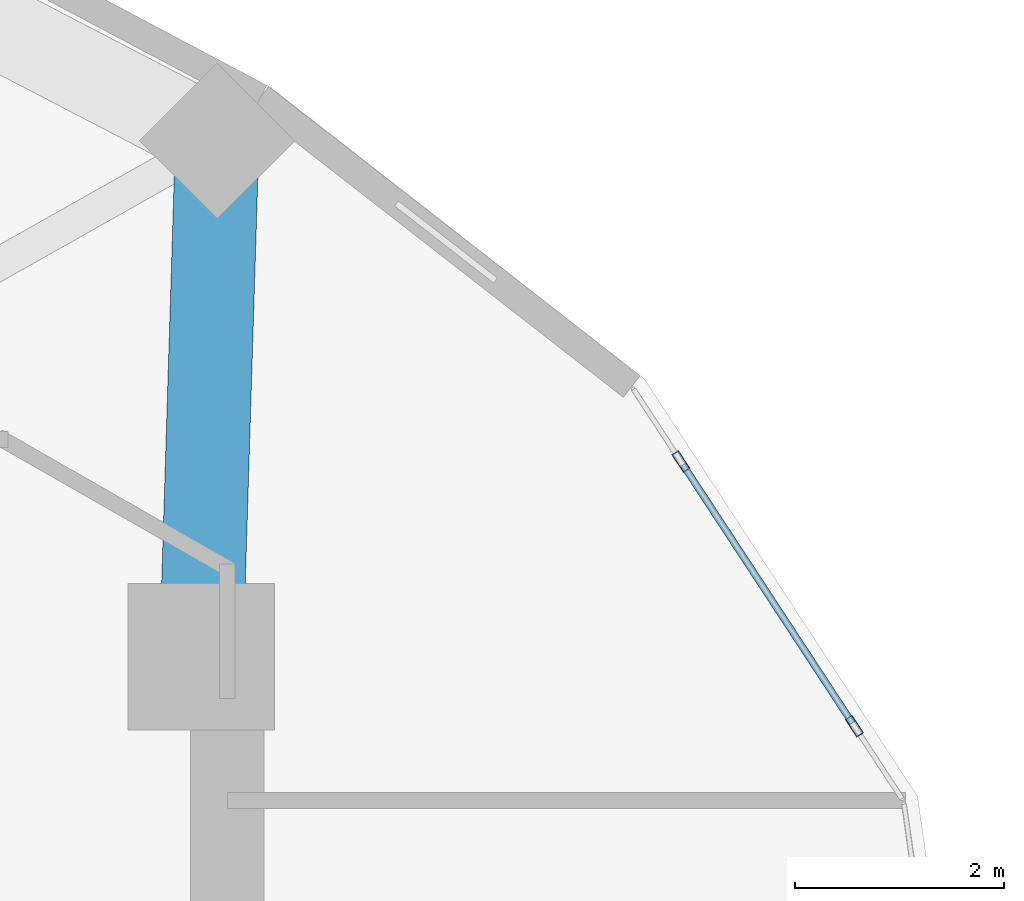
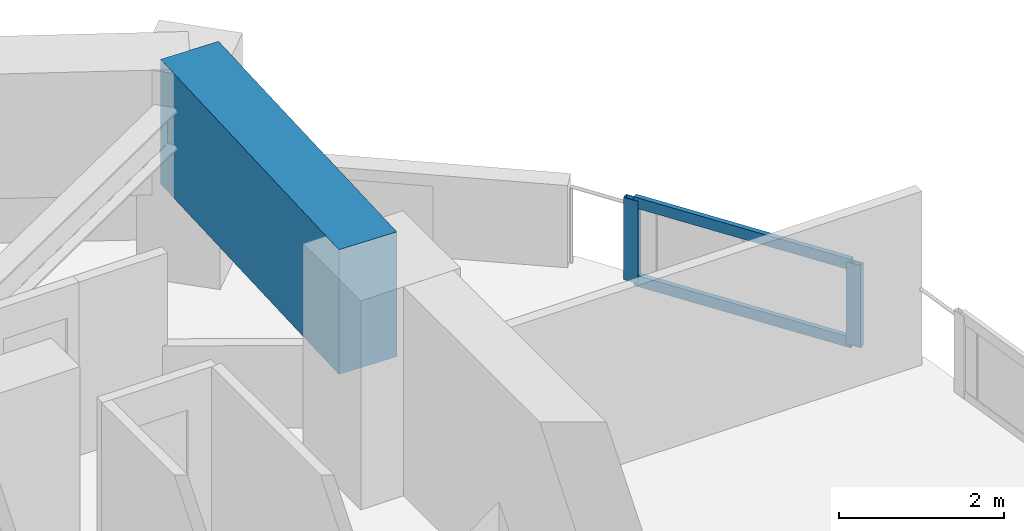
# One storey, part 5 of 14: 4 members, 1 beam, 1 element without a shape of its own.
"""IFC4 building model written with IfcOpenShell, lengths in metres."""

from ifc_helpers import new_model, si_unit, direction, frame, origin, origin_2d, place, context, subcontext, project, spatial, rectangle, hollow_rectangle, extrude, material, layer, layer_set, material_profile, profile_set, type_object, element, aggregate, save


model = new_model("IFC4")

# Units and contexts
model_context = context("Model", 3, precision=1e-05, world=origin(), true_north=direction((0.0, 1.0)))
body_context = subcontext(model_context, "Body", "Model", "MODEL_VIEW")
ifc_project = project(units=[si_unit("LENGTHUNIT", "METRE"), si_unit("AREAUNIT", "SQUARE_METRE"), si_unit("VOLUMEUNIT", "CUBIC_METRE"), si_unit("PLANEANGLEUNIT", "RADIAN"), si_unit("MASSUNIT", "GRAM", prefix="KILO")], contexts=[model_context])

# Site, building, storey
site_placement = place(None, origin())
site = spatial("IfcSite", under=ifc_project, at=site_placement, CompositionType="ELEMENT")
building_placement = place(site_placement, origin())
building = spatial("IfcBuilding", under=site, at=building_placement, Name="Solvane Sanctuary Tower", CompositionType="ELEMENT")
storey_placement = place(building_placement, frame((0.0, 0.0, 91.800048828125)))
storey = spatial("IfcBuildingStorey", under=building, at=storey_placement, Name="L27", CompositionType="ELEMENT", Elevation=91.800048828125)

# Beam
ifc_material_1 = material(Name="Concrete C70/85", Category="concrete")
ifc_material_profile_1 = material_profile(ifc_material_1, rectangle(XDim=0.800048828125, YDim=1.85009765625, at=origin_2d()), Name="RC800X1850")
ifc_profile_set_1 = profile_set([ifc_material_profile_1], Name="Concrete C70/85")
beam_type = type_object("IfcBeamType", Name="Beam B-XFER-BLK RC800X1850", PredefinedType="BEAM", material=ifc_profile_set_1)
beam_placement = place(storey_placement, frame((48.85302734375, 35.13818359375, 2.175048828125), z_axis=(-0.030966851139, -0.999520412063, 0.0), x_axis=(0.999520412063, -0.030966851139, 0.0)))
element("IfcBeam", 1, at=beam_placement, inside=storey, type_object=beam_type, Name="L27 Perimeter Step Transfer Ring NTC01-CE3", PredefinedType="BEAM", context=body_context, shape_type="SweptSolid", body=[
    extrude(rectangle(XDim=0.800048828125, YDim=1.85009765625, at=origin_2d()), origin(), (0.0, 0.0, 1.0), 4.58056640625),
])

# Curtain wall, members
ifc_material_2 = material(Name="Anodised Aluminium 6063-T6", Category="aluminium")
ifc_layer = layer(ifc_material_2, 0.2099609375, Name="Anodised Aluminium 6063-T6")
ifc_layer_set = layer_set([ifc_layer], Name="Anodised Aluminium 6063-T6")
curtain_wall_type = type_object("IfcCurtainWallType", Name="Curtain Wall CW-PORTAL", PredefinedType="NOTDEFINED", material=ifc_layer_set)
curtain_wall_placement = place(storey_placement, origin())
curtain_wall = element("IfcCurtainWall", 2, at=curtain_wall_placement, inside=storey, type_object=curtain_wall_type, Name="L27 CW-PORTAL Facade Run 01", PredefinedType="NOTDEFINED")
ifc_material_profile_2 = material_profile(ifc_material_2, hollow_rectangle(XDim=0.074951171875, YDim=0.199951171875, WallThickness=0.00390625, at=origin_2d()), Name="ALU200X75X4")
ifc_profile_set_2 = profile_set([ifc_material_profile_2], Name="Anodised Aluminium 6063-T6")
member_type_1 = type_object("IfcMemberType", Name="Member M-CW-MUL-1 ALU200X75X4", PredefinedType="MULLION", material=ifc_profile_set_2)
member_1_placement = place(storey_placement, frame((54.95166015625, 29.535888671875, 0.0), z_axis=(0.0, 0.0, 1.0), x_axis=(-0.8362976391, -0.548275714249, 0.0)))
member_1 = element("IfcMember", 3, at=member_1_placement, type_object=member_type_1, Name="CW-PORTAL mullion 1", PredefinedType="MULLION", context=body_context, shape_type="SweptSolid", body=[
    extrude(hollow_rectangle(XDim=0.074951171875, YDim=0.199951171875, WallThickness=0.00390625, at=origin_2d()), origin(), (0.0, 0.0, 1.0), 1.219970703125),
])
member_2_placement = place(storey_placement, frame((53.290771484375, 32.0693359375, 0.0), z_axis=(0.0, 0.0, 1.0), x_axis=(-0.8362976391, -0.548275714249, 0.0)))
member_2 = element("IfcMember", 4, at=member_2_placement, type_object=member_type_1, Name="CW-PORTAL mullion 2", PredefinedType="MULLION", context=body_context, shape_type="SweptSolid", body=[
    extrude(hollow_rectangle(XDim=0.074951171875, YDim=0.199951171875, WallThickness=0.00390625, at=origin_2d()), origin(), (0.0, 0.0, 1.0), 1.219970703125),
])
ifc_material_profile_3 = material_profile(ifc_material_2, hollow_rectangle(XDim=0.06494140625, YDim=0.159912109375, WallThickness=0.00341796875, at=origin_2d()), Name="ALU160X65X3.5")
ifc_profile_set_3 = profile_set([ifc_material_profile_3], Name="Anodised Aluminium 6063-T6")
member_type_2 = type_object("IfcMemberType", Name="Member M-CW-TRN-1 ALU160X65X3.5", PredefinedType="USERDEFINED", material=ifc_profile_set_3)
member_3_placement = place(storey_placement, frame((54.93115234375, 29.567138671875, 0.032470703125), z_axis=(-0.548295383015, 0.836284743951, 0.0), x_axis=(-0.836284743951, -0.548295383015, 0.0)))
member_3 = element("IfcMember", 5, at=member_3_placement, type_object=member_type_2, Name="CW-PORTAL transom 1.1", ObjectType="TRANSOM", PredefinedType="USERDEFINED", context=body_context, shape_type="SweptSolid", body=[
    extrude(hollow_rectangle(XDim=0.06494140625, YDim=0.159912109375, WallThickness=0.00341796875, at=origin_2d()), origin(), (0.0, 0.0, 1.0), 2.954345703125),
])
member_4_placement = place(storey_placement, frame((54.93115234375, 29.567138671875, 1.1875), z_axis=(-0.548295383015, 0.836284743951, 0.0), x_axis=(-0.836284743951, -0.548295383015, 0.0)))
member_4 = element("IfcMember", 6, at=member_4_placement, type_object=member_type_2, Name="CW-PORTAL transom 1.2", ObjectType="TRANSOM", PredefinedType="USERDEFINED", context=body_context, shape_type="SweptSolid", body=[
    extrude(hollow_rectangle(XDim=0.06494140625, YDim=0.159912109375, WallThickness=0.00341796875, at=origin_2d()), origin(), (0.0, 0.0, 1.0), 2.954345703125),
])
aggregate(curtain_wall, [member_1, member_2, member_3, member_4])

save(model, "model.ifc")
